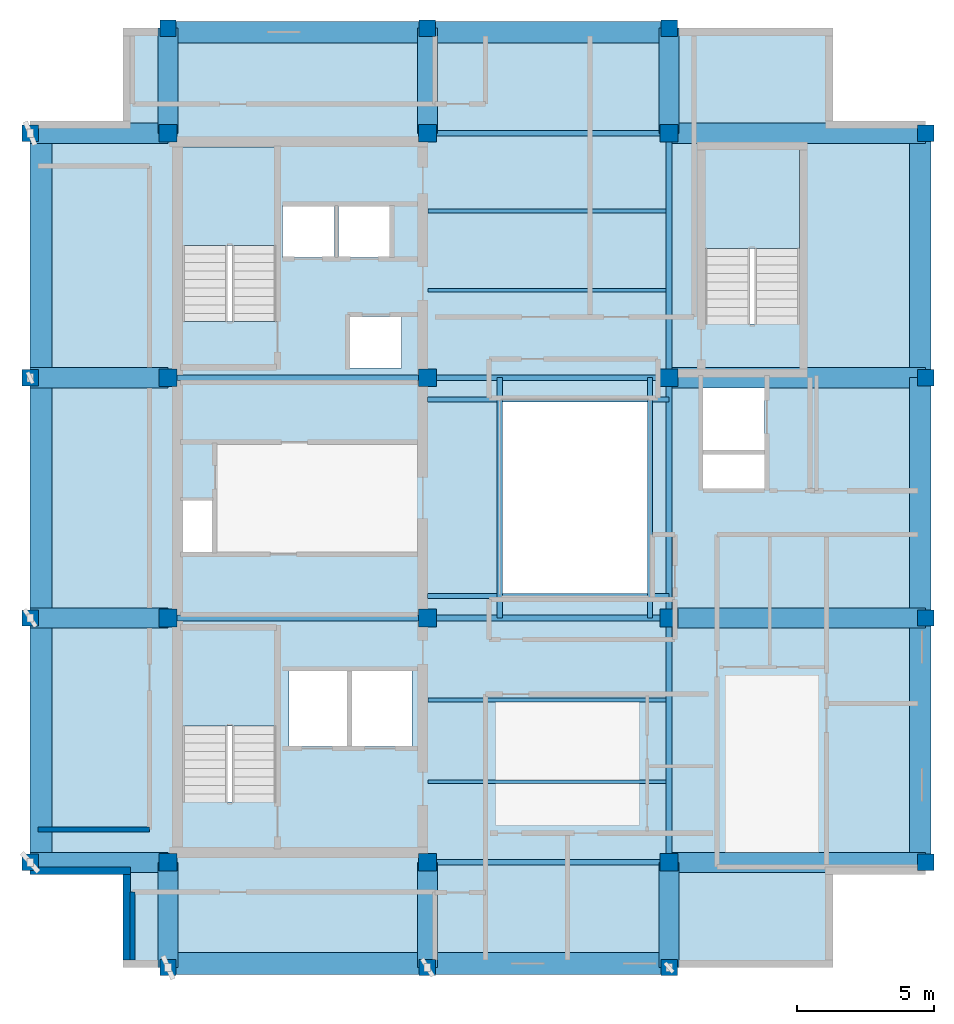
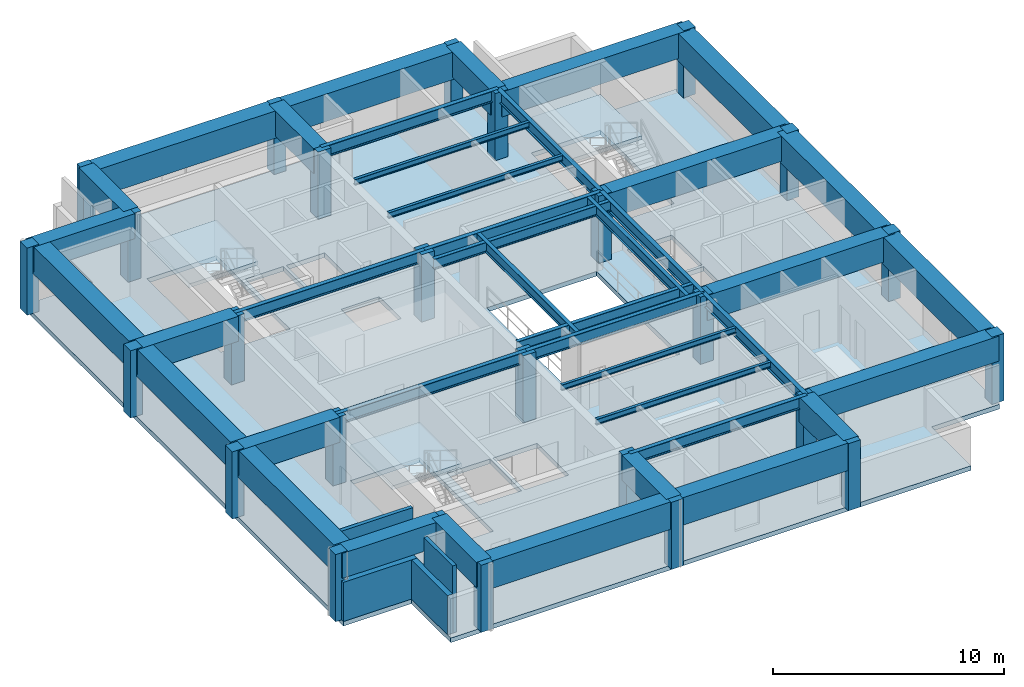
# One storey, part 1 of 6: 41 beams, 26 columns, 4 slabs, 4 walls, 3 elements without a shape of their own.
"""IFC4 building model written with IfcOpenShell, lengths in metres."""

from ifc_helpers import new_model, si_unit, direction, frame, frame_2d, origin, origin_2d, place, context, subcontext, project, spatial, polyline, rectangle, i_section, outline, extrude, material, layer, layer_set, material_profile, profile_set, type_object, element, aggregate, save


model = new_model("IFC4")

# Units and contexts
model_context = context("Model", 3, precision=1e-05, world=origin(), true_north=direction((0.0, 1.0)))
body_context = subcontext(model_context, "Body", "Model", "MODEL_VIEW")
ifc_project = project(units=[si_unit("LENGTHUNIT", "METRE"), si_unit("AREAUNIT", "SQUARE_METRE"), si_unit("VOLUMEUNIT", "CUBIC_METRE"), si_unit("PLANEANGLEUNIT", "RADIAN"), si_unit("MASSUNIT", "GRAM", prefix="KILO")], contexts=[model_context])

# Site, building, storey
site_placement = place(None, origin())
site = spatial("IfcSite", under=ifc_project, at=site_placement, CompositionType="ELEMENT")
building_placement = place(site_placement, origin())
building = spatial("IfcBuilding", under=site, at=building_placement, Name="Kundavana Baori Tower", CompositionType="ELEMENT")
storey_placement = place(building_placement, frame((0.0, 0.0, 339.10009765625)))
storey = spatial("IfcBuildingStorey", under=building, at=storey_placement, Name="L84", CompositionType="ELEMENT", Elevation=339.10009765625)

# Columns
ifc_material_1 = material(Name="Concrete C50/60", Category="concrete")
ifc_material_profile_1 = material_profile(ifc_material_1, rectangle(XDim=0.60009765625, YDim=0.60009765625, at=origin_2d()), Name="RC PF 600x600")
ifc_profile_set_1 = profile_set([ifc_material_profile_1], Name="Concrete C50/60")
column_type_1 = type_object("IfcColumnType", Name="COL-PF-600", PredefinedType="COLUMN", material=ifc_profile_set_1)
for number, where, z_axis, x_axis, name in (
    (1, (15.449951171875, 11.39990234375, 0.0), (0.0, 0.0, 1.0), (1.0, 0.0, 0.0), "L84 Stone-Clad Perimeter Frame Column PF-S1"),
    (2, (15.449951171875, 45.800048828125, 0.0), (0.0, 0.0, 1.0), (1.0, 0.0, 0.0), "L84 Stone-Clad Perimeter Frame Column PF-N1"),
    (3, (24.949951171875, 11.39990234375, 0.0), (0.0, 0.0, 1.0), (1.0, 0.0, 0.0), "L84 Stone-Clad Perimeter Frame Column PF-S2"),
    (4, (24.949951171875, 45.800048828125, 0.0), (0.0, 0.0, 1.0), (1.0, 0.0, 0.0), "L84 Stone-Clad Perimeter Frame Column PF-N2"),
    (5, (33.800048828125, 11.39990234375, 0.0), (0.0, 0.0, 1.0), (1.0, 0.0, 0.0), "L84 Stone-Clad Perimeter Frame Column PF-S3"),
    (6, (33.800048828125, 45.800048828125, 0.0), (0.0, 0.0, 1.0), (1.0, 0.0, 0.0), "L84 Stone-Clad Perimeter Frame Column PF-N3"),
    (7, (10.39990234375, 15.25, 0.0), (0.0, 0.0, 1.0), (1.0, 0.0, 0.0), "L84 Stone-Clad Perimeter Frame Column PF-W1"),
    (8, (43.199951171875, 15.25, 0.0), (0.0, 0.0, 1.0), (1.0, 0.0, 0.0), "L84 Stone-Clad Perimeter Frame Column PF-E1"),
    (9, (10.39990234375, 24.199951171875, 0.0), (0.0, 0.0, 1.0), (1.0, 0.0, 0.0), "L84 Stone-Clad Perimeter Frame Column PF-W2"),
    (10, (43.199951171875, 24.199951171875, 0.0), (0.0, 0.0, 1.0), (1.0, 0.0, 0.0), "L84 Stone-Clad Perimeter Frame Column PF-E2"),
    (11, (10.39990234375, 33.0, 0.0), (0.0, 0.0, 1.0), (1.0, 0.0, 0.0), "L84 Stone-Clad Perimeter Frame Column PF-W3"),
    (12, (43.199951171875, 33.0, 0.0), (0.0, 0.0, 1.0), (1.0, 0.0, 0.0), "L84 Stone-Clad Perimeter Frame Column PF-E3"),
    (13, (10.39990234375, 41.949951171875, 0.0), (0.0, 0.0, 1.0), (1.0, 0.0, 0.0), "L84 Stone-Clad Perimeter Frame Column PF-W4"),
    (14, (43.199951171875, 41.949951171875, 0.0), (0.0, 0.0, 1.0), (1.0, 0.0, 0.0), "L84 Stone-Clad Perimeter Frame Column PF-E4"),
):
    element("IfcColumn", number, at=place(storey_placement, frame(where, z_axis=z_axis, x_axis=x_axis)), inside=storey, type_object=column_type_1, Name=name, PredefinedType="COLUMN", context=body_context, shape_type="SweptSolid", body=[
        extrude(rectangle(XDim=0.60009765625, YDim=0.60009765625, at=origin_2d()), origin(), (0.0, 0.0, 1.0), 3.5498046875),
    ])
ifc_material_2 = material(Name="Concrete C50/60", Category="concrete")
ifc_material_profile_2 = material_profile(ifc_material_2, rectangle(XDim=0.64990234375, YDim=0.64990234375, at=origin_2d()), Name="RC 650x650")
ifc_profile_set_2 = profile_set([ifc_material_profile_2], Name="Concrete C50/60")
column_type_2 = type_object("IfcColumnType", Name="COL-RC-650", PredefinedType="COLUMN", material=ifc_profile_set_2)
for number, where, z_axis, x_axis, name in (
    (15, (15.449951171875, 15.25, 0.0), (0.0, 0.0, 1.0), (1.0, 0.0, 0.0), "L84 Interior Column IC-3C"),
    (16, (15.449951171875, 24.199951171875, 0.0), (0.0, 0.0, 1.0), (1.0, 0.0, 0.0), "L84 Interior Column IC-3D"),
    (17, (15.449951171875, 33.0, 0.0), (0.0, 0.0, 1.0), (1.0, 0.0, 0.0), "L84 Interior Column IC-3E"),
    (18, (15.449951171875, 41.949951171875, 0.0), (0.0, 0.0, 1.0), (1.0, 0.0, 0.0), "L84 Interior Column IC-3F"),
    (19, (24.949951171875, 15.25, 0.0), (0.0, 0.0, 1.0), (1.0, 0.0, 0.0), "L84 Interior Column IC-4C"),
    (20, (24.949951171875, 24.199951171875, 0.0), (0.0, 0.0, 1.0), (1.0, 0.0, 0.0), "L84 Interior Column IC-4D"),
    (21, (24.949951171875, 33.0, 0.0), (0.0, 0.0, 1.0), (1.0, 0.0, 0.0), "L84 Interior Column IC-4E"),
    (22, (24.949951171875, 41.949951171875, 0.0), (0.0, 0.0, 1.0), (1.0, 0.0, 0.0), "L84 Interior Column IC-4F"),
    (23, (33.800048828125, 15.25, 0.0), (0.0, 0.0, 1.0), (1.0, 0.0, 0.0), "L84 Interior Column IC-5C"),
    (24, (33.800048828125, 24.199951171875, 0.0), (0.0, 0.0, 1.0), (1.0, 0.0, 0.0), "L84 Interior Column IC-5D"),
    (25, (33.800048828125, 33.0, 0.0), (0.0, 0.0, 1.0), (1.0, 0.0, 0.0), "L84 Interior Column IC-5E"),
    (26, (33.800048828125, 41.949951171875, 0.0), (0.0, 0.0, 1.0), (1.0, 0.0, 0.0), "L84 Interior Column IC-5F"),
):
    element("IfcColumn", number, at=place(storey_placement, frame(where, z_axis=z_axis, x_axis=x_axis)), inside=storey, type_object=column_type_2, Name=name, PredefinedType="COLUMN", context=body_context, shape_type="SweptSolid", body=[
        extrude(rectangle(XDim=0.64990234375, YDim=0.64990234375, at=origin_2d()), origin(), (0.0, 0.0, 1.0), 3.5498046875),
    ])

# Beams
ifc_material_3 = material(Name="Structural Steel S355JR", Category="steel")
ifc_material_profile_3 = material_profile(ifc_material_3, i_section(OverallWidth=0.139892578125, OverallDepth=0.300048828125, WebThickness=0.0078125, FlangeThickness=0.01318359375, FilletRadius=0.013916015625, at=origin_2d()), Name="ISMB 300")
ifc_profile_set_3 = profile_set([ifc_material_profile_3], Name="Structural Steel S355JR")
beam_type_1 = type_object("IfcBeamType", Name="BM-RF-300", PredefinedType="BEAM", material=ifc_profile_set_3)
for number, where, z_axis, x_axis, name in (
    (27, (24.97998046875, 18.199951171875, 3.39990234375), (1.0, 0.0, 0.0), (0.0, 1.0, 0.0), "L84 Central Bay Composite Floor Joist C1"),
    (28, (24.97998046875, 21.199951171875, 3.39990234375), (1.0, 0.0, 0.0), (0.0, 1.0, 0.0), "L84 Central Bay Composite Floor Joist C2"),
    (29, (24.97998046875, 36.199951171875, 3.39990234375), (1.0, 0.0, 0.0), (0.0, 1.0, 0.0), "L84 Central Bay Composite Floor Joist C3"),
    (30, (24.97998046875, 39.10009765625, 3.39990234375), (1.0, 0.0, 0.0), (0.0, 1.0, 0.0), "L84 Central Bay Composite Floor Joist C4"),
):
    element("IfcBeam", number, at=place(storey_placement, frame(where, z_axis=z_axis, x_axis=x_axis)), inside=storey, type_object=beam_type_1, Name=name, PredefinedType="BEAM", context=body_context, shape_type="SweptSolid", body=[
        extrude(i_section(OverallWidth=0.139892578125, OverallDepth=0.300048828125, WebThickness=0.0078125, FlangeThickness=0.01318359375, FilletRadius=0.013916015625, at=origin_2d()), origin(), (0.0, 0.0, 1.0), 8.715087890625),
    ])
ifc_material_4 = material(Name="Structural Steel S355JR", Category="steel")
ifc_material_profile_4 = material_profile(ifc_material_4, i_section(OverallWidth=0.18994140625, OverallDepth=0.550048828125, WebThickness=0.01123046875, FlangeThickness=0.019287109375, FilletRadius=0.01806640625, at=origin_2d()), Name="ISMB 550")
ifc_profile_set_4 = profile_set([ifc_material_profile_4], Name="Structural Steel S355JR")
beam_type_2 = type_object("IfcBeamType", Name="BM-ST-550", PredefinedType="BEAM", material=ifc_profile_set_4)
for number, where, z_axis, x_axis, name in (
    (31, (27.60009765625, 24.199951171875, 3.27490234375), (0.0, 1.0, 0.0), (-1.0, 0.0, 0.0), "L84 Atrium West Edge Beam"),
    (32, (33.10009765625, 24.199951171875, 3.27490234375), (0.0, 1.0, 0.0), (-1.0, 0.0, 0.0), "L84 Atrium East Edge Beam"),
):
    element("IfcBeam", number, at=place(storey_placement, frame(where, z_axis=z_axis, x_axis=x_axis)), inside=storey, type_object=beam_type_2, Name=name, PredefinedType="BEAM", context=body_context, shape_type="SweptSolid", body=[
        extrude(i_section(OverallWidth=0.18994140625, OverallDepth=0.550048828125, WebThickness=0.01123046875, FlangeThickness=0.019287109375, FilletRadius=0.01806640625, at=origin_2d()), origin(), (0.0, 0.0, 1.0), 8.800048828125),
    ])
for number, where, z_axis, x_axis, name in (
    (33, (24.949951171875, 25.0, 3.27490234375), (1.0, 0.0, 0.0), (0.0, 1.0, 0.0), "L84 Atrium South Edge Beam"),
    (34, (24.949951171875, 32.199951171875, 3.27490234375), (1.0, 0.0, 0.0), (0.0, 1.0, 0.0), "L84 Atrium North Edge Beam"),
):
    element("IfcBeam", number, at=place(storey_placement, frame(where, z_axis=z_axis, x_axis=x_axis)), inside=storey, type_object=beam_type_2, Name=name, PredefinedType="BEAM", context=body_context, shape_type="SweptSolid", body=[
        extrude(i_section(OverallWidth=0.18994140625, OverallDepth=0.550048828125, WebThickness=0.01123046875, FlangeThickness=0.019287109375, FilletRadius=0.01806640625, at=origin_2d()), origin(), (0.0, 0.0, 1.0), 8.85009765625),
    ])
ifc_material_5 = material(Name="Structural Steel S355JR", Category="steel")
ifc_material_profile_5 = material_profile(ifc_material_5, i_section(OverallWidth=0.2099609375, OverallDepth=0.60009765625, WebThickness=0.011962890625, FlangeThickness=0.020751953125, FilletRadius=0.02001953125, at=origin_2d()), Name="ISMB 600")
ifc_profile_set_5 = profile_set([ifc_material_profile_5], Name="Structural Steel S355JR")
beam_type_3 = type_object("IfcBeamType", Name="BM-ST-600", PredefinedType="BEAM", material=ifc_profile_set_5)
beam_1_placement = place(storey_placement, frame((24.949951171875, 15.25, 3.25), z_axis=(1.0, 0.0, 0.0), x_axis=(0.0, 1.0, 0.0)))
element("IfcBeam", 35, at=beam_1_placement, inside=storey, type_object=beam_type_3, Name="L84 Primary Grid Girder GX-1-2", PredefinedType="BEAM", context=body_context, shape_type="SweptSolid", body=[
    extrude(i_section(OverallWidth=0.2099609375, OverallDepth=0.60009765625, WebThickness=0.011962890625, FlangeThickness=0.020751953125, FilletRadius=0.02001953125, at=origin_2d()), origin(), (0.0, 0.0, 1.0), 8.85009765625),
])
beam_2_placement = place(storey_placement, frame((15.449951171875, 24.199951171875, 3.25), z_axis=(1.0, 0.0, 0.0), x_axis=(0.0, 1.0, 0.0)))
element("IfcBeam", 36, at=beam_2_placement, inside=storey, type_object=beam_type_3, Name="L84 Primary Grid Girder GX-2-1", PredefinedType="BEAM", context=body_context, shape_type="SweptSolid", body=[
    extrude(i_section(OverallWidth=0.2099609375, OverallDepth=0.60009765625, WebThickness=0.011962890625, FlangeThickness=0.020751953125, FilletRadius=0.02001953125, at=origin_2d()), origin(), (0.0, 0.0, 1.0), 9.5),
])
beam_3_placement = place(storey_placement, frame((24.949951171875, 24.199951171875, 3.25), z_axis=(1.0, 0.0, 0.0), x_axis=(0.0, 1.0, 0.0)))
element("IfcBeam", 37, at=beam_3_placement, inside=storey, type_object=beam_type_3, Name="L84 Primary Grid Girder GX-2-2", PredefinedType="BEAM", context=body_context, shape_type="SweptSolid", body=[
    extrude(i_section(OverallWidth=0.2099609375, OverallDepth=0.60009765625, WebThickness=0.011962890625, FlangeThickness=0.020751953125, FilletRadius=0.02001953125, at=origin_2d()), origin(), (0.0, 0.0, 1.0), 8.85009765625),
])
beam_4_placement = place(storey_placement, frame((15.449951171875, 33.0, 3.25), z_axis=(1.0, 0.0, 0.0), x_axis=(0.0, 1.0, 0.0)))
element("IfcBeam", 38, at=beam_4_placement, inside=storey, type_object=beam_type_3, Name="L84 Primary Grid Girder GX-3-1", PredefinedType="BEAM", context=body_context, shape_type="SweptSolid", body=[
    extrude(i_section(OverallWidth=0.2099609375, OverallDepth=0.60009765625, WebThickness=0.011962890625, FlangeThickness=0.020751953125, FilletRadius=0.02001953125, at=origin_2d()), origin(), (0.0, 0.0, 1.0), 9.5),
])
for number, where, z_axis, x_axis, name in (
    (39, (24.949951171875, 33.0, 3.25), (1.0, 0.0, 0.0), (0.0, 1.0, 0.0), "L84 Primary Grid Girder GX-3-2"),
    (40, (24.949951171875, 41.949951171875, 3.25), (1.0, 0.0, 0.0), (0.0, 1.0, 0.0), "L84 Primary Grid Girder GX-4-2"),
):
    element("IfcBeam", number, at=place(storey_placement, frame(where, z_axis=z_axis, x_axis=x_axis)), inside=storey, type_object=beam_type_3, Name=name, PredefinedType="BEAM", context=body_context, shape_type="SweptSolid", body=[
        extrude(i_section(OverallWidth=0.2099609375, OverallDepth=0.60009765625, WebThickness=0.011962890625, FlangeThickness=0.020751953125, FilletRadius=0.02001953125, at=origin_2d()), origin(), (0.0, 0.0, 1.0), 8.85009765625),
    ])
beam_5_placement = place(storey_placement, frame((33.800048828125, 15.25, 3.25), z_axis=(0.0, 1.0, 0.0), x_axis=(-1.0, 0.0, 0.0)))
element("IfcBeam", 41, at=beam_5_placement, inside=storey, type_object=beam_type_3, Name="L84 Primary Grid Girder GY-3-1", PredefinedType="BEAM", context=body_context, shape_type="SweptSolid", body=[
    extrude(i_section(OverallWidth=0.2099609375, OverallDepth=0.60009765625, WebThickness=0.011962890625, FlangeThickness=0.020751953125, FilletRadius=0.02001953125, at=origin_2d()), origin(), (0.0, 0.0, 1.0), 8.949951171875),
])
beam_6_placement = place(storey_placement, frame((33.800048828125, 24.199951171875, 3.25), z_axis=(0.0, 1.0, 0.0), x_axis=(-1.0, 0.0, 0.0)))
element("IfcBeam", 42, at=beam_6_placement, inside=storey, type_object=beam_type_3, Name="L84 Primary Grid Girder GY-3-2", PredefinedType="BEAM", context=body_context, shape_type="SweptSolid", body=[
    extrude(i_section(OverallWidth=0.2099609375, OverallDepth=0.60009765625, WebThickness=0.011962890625, FlangeThickness=0.020751953125, FilletRadius=0.02001953125, at=origin_2d()), origin(), (0.0, 0.0, 1.0), 8.800048828125),
])
beam_7_placement = place(storey_placement, frame((33.800048828125, 33.0, 3.25), z_axis=(0.0, 1.0, 0.0), x_axis=(-1.0, 0.0, 0.0)))
element("IfcBeam", 43, at=beam_7_placement, inside=storey, type_object=beam_type_3, Name="L84 Primary Grid Girder GY-3-3", PredefinedType="BEAM", context=body_context, shape_type="SweptSolid", body=[
    extrude(i_section(OverallWidth=0.2099609375, OverallDepth=0.60009765625, WebThickness=0.011962890625, FlangeThickness=0.020751953125, FilletRadius=0.02001953125, at=origin_2d()), origin(), (0.0, 0.0, 1.0), 8.949951171875),
])
ifc_material_6 = material(Name="Concrete C50/60", Category="concrete")
ifc_material_profile_6 = material_profile(ifc_material_6, rectangle(XDim=0.800048828125, YDim=1.449951171875, at=origin_2d()), Name="BM-TG-1")
ifc_profile_set_6 = profile_set([ifc_material_profile_6], Name="Concrete C50/60")
beam_type_4 = type_object("IfcBeamType", Name="BM-TG-1", PredefinedType="USERDEFINED", material=ifc_profile_set_6)
beam_8_placement = place(storey_placement, frame((15.449951171875, 11.550048828125, 2.824951171875), z_axis=(1.0, 0.0, 0.0), x_axis=(0.0, 1.0, 0.0)))
element("IfcBeam", 44, at=beam_8_placement, inside=storey, type_object=beam_type_4, Name="L84 Perimeter Frame Ring Beam S1", ObjectType="TRANSFER GIRDER", PredefinedType="USERDEFINED", context=body_context, shape_type="SweptSolid", body=[
    extrude(rectangle(XDim=0.800048828125, YDim=1.449951171875, at=origin_2d()), origin(), (0.0, 0.0, 1.0), 9.5),
])
beam_9_placement = place(storey_placement, frame((24.949951171875, 11.550048828125, 2.824951171875), z_axis=(1.0, 0.0, 0.0), x_axis=(0.0, 1.0, 0.0)))
element("IfcBeam", 45, at=beam_9_placement, inside=storey, type_object=beam_type_4, Name="L84 Perimeter Frame Ring Beam S2", ObjectType="TRANSFER GIRDER", PredefinedType="USERDEFINED", context=body_context, shape_type="SweptSolid", body=[
    extrude(rectangle(XDim=0.800048828125, YDim=1.449951171875, at=origin_2d()), origin(), (0.0, 0.0, 1.0), 8.85009765625),
])
beam_10_placement = place(storey_placement, frame((15.449951171875, 45.64990234375, 2.824951171875), z_axis=(1.0, 0.0, 0.0), x_axis=(0.0, 1.0, 0.0)))
element("IfcBeam", 46, at=beam_10_placement, inside=storey, type_object=beam_type_4, Name="L84 Perimeter Frame Ring Beam N1", ObjectType="TRANSFER GIRDER", PredefinedType="USERDEFINED", context=body_context, shape_type="SweptSolid", body=[
    extrude(rectangle(XDim=0.800048828125, YDim=1.449951171875, at=origin_2d()), origin(), (0.0, 0.0, 1.0), 9.5),
])
beam_11_placement = place(storey_placement, frame((24.949951171875, 45.64990234375, 2.824951171875), z_axis=(1.0, 0.0, 0.0), x_axis=(0.0, 1.0, 0.0)))
element("IfcBeam", 47, at=beam_11_placement, inside=storey, type_object=beam_type_4, Name="L84 Perimeter Frame Ring Beam N2", ObjectType="TRANSFER GIRDER", PredefinedType="USERDEFINED", context=body_context, shape_type="SweptSolid", body=[
    extrude(rectangle(XDim=0.800048828125, YDim=1.449951171875, at=origin_2d()), origin(), (0.0, 0.0, 1.0), 8.85009765625),
])
beam_12_placement = place(storey_placement, frame((10.800048828125, 15.25, 2.824951171875), z_axis=(0.0, 1.0, 0.0), x_axis=(-1.0, 0.0, 0.0)))
element("IfcBeam", 48, at=beam_12_placement, inside=storey, type_object=beam_type_4, Name="L84 Perimeter Frame Ring Beam W1", ObjectType="TRANSFER GIRDER", PredefinedType="USERDEFINED", context=body_context, shape_type="SweptSolid", body=[
    extrude(rectangle(XDim=0.800048828125, YDim=1.449951171875, at=origin_2d()), origin(), (0.0, 0.0, 1.0), 8.949951171875),
])
beam_13_placement = place(storey_placement, frame((10.800048828125, 24.199951171875, 2.824951171875), z_axis=(0.0, 1.0, 0.0), x_axis=(-1.0, 0.0, 0.0)))
element("IfcBeam", 49, at=beam_13_placement, inside=storey, type_object=beam_type_4, Name="L84 Perimeter Frame Ring Beam W2", ObjectType="TRANSFER GIRDER", PredefinedType="USERDEFINED", context=body_context, shape_type="SweptSolid", body=[
    extrude(rectangle(XDim=0.800048828125, YDim=1.449951171875, at=origin_2d()), origin(), (0.0, 0.0, 1.0), 8.800048828125),
])
for number, where, z_axis, x_axis, name in (
    (50, (10.800048828125, 33.0, 2.824951171875), (0.0, 1.0, 0.0), (-1.0, 0.0, 0.0), "L84 Perimeter Frame Ring Beam W3"),
    (51, (43.0, 15.25, 2.824951171875), (0.0, 1.0, 0.0), (-1.0, 0.0, 0.0), "L84 Perimeter Frame Ring Beam E1"),
):
    element("IfcBeam", number, at=place(storey_placement, frame(where, z_axis=z_axis, x_axis=x_axis)), inside=storey, type_object=beam_type_4, Name=name, ObjectType="TRANSFER GIRDER", PredefinedType="USERDEFINED", context=body_context, shape_type="SweptSolid", body=[
        extrude(rectangle(XDim=0.800048828125, YDim=1.449951171875, at=origin_2d()), origin(), (0.0, 0.0, 1.0), 8.949951171875),
    ])
beam_14_placement = place(storey_placement, frame((43.0, 24.199951171875, 2.824951171875), z_axis=(0.0, 1.0, 0.0), x_axis=(-1.0, 0.0, 0.0)))
element("IfcBeam", 52, at=beam_14_placement, inside=storey, type_object=beam_type_4, Name="L84 Perimeter Frame Ring Beam E2", ObjectType="TRANSFER GIRDER", PredefinedType="USERDEFINED", context=body_context, shape_type="SweptSolid", body=[
    extrude(rectangle(XDim=0.800048828125, YDim=1.449951171875, at=origin_2d()), origin(), (0.0, 0.0, 1.0), 8.800048828125),
])
beam_15_placement = place(storey_placement, frame((43.0, 33.0, 2.824951171875), z_axis=(0.0, 1.0, 0.0), x_axis=(-1.0, 0.0, 0.0)))
element("IfcBeam", 53, at=beam_15_placement, inside=storey, type_object=beam_type_4, Name="L84 Perimeter Frame Ring Beam E3", ObjectType="TRANSFER GIRDER", PredefinedType="USERDEFINED", context=body_context, shape_type="SweptSolid", body=[
    extrude(rectangle(XDim=0.800048828125, YDim=1.449951171875, at=origin_2d()), origin(), (0.0, 0.0, 1.0), 8.949951171875),
])
ifc_material_7 = material(Name="Concrete C50/60", Category="concrete")
ifc_material_profile_7 = material_profile(ifc_material_7, rectangle(XDim=0.739990234375, YDim=1.320068359375, at=origin_2d()), Name="BM-TG-5")
ifc_profile_set_7 = profile_set([ifc_material_profile_7], Name="Concrete C50/60")
beam_type_5 = type_object("IfcBeamType", Name="BM-TG-5", PredefinedType="USERDEFINED", material=ifc_profile_set_7)
for number, where, z_axis, x_axis, name in (
    (54, (15.449951171875, 15.25, 2.889892578125), (0.0, -1.0, 0.0), (1.0, 0.0, 0.0), "L84 South Radial Transfer Girder S1"),
    (55, (15.449951171875, 41.949951171875, 2.889892578125), (0.0, 1.0, 0.0), (-1.0, 0.0, 0.0), "L84 North Radial Transfer Girder N1"),
    (56, (24.949951171875, 15.25, 2.889892578125), (0.0, -1.0, 0.0), (1.0, 0.0, 0.0), "L84 South Radial Transfer Girder S2"),
    (57, (24.949951171875, 41.949951171875, 2.889892578125), (0.0, 1.0, 0.0), (-1.0, 0.0, 0.0), "L84 North Radial Transfer Girder N2"),
    (58, (33.800048828125, 15.25, 2.889892578125), (0.0, -1.0, 0.0), (1.0, 0.0, 0.0), "L84 South Radial Transfer Girder S3"),
    (59, (33.800048828125, 41.949951171875, 2.889892578125), (0.0, 1.0, 0.0), (-1.0, 0.0, 0.0), "L84 North Radial Transfer Girder N3"),
):
    element("IfcBeam", number, at=place(storey_placement, frame(where, z_axis=z_axis, x_axis=x_axis)), inside=storey, type_object=beam_type_5, Name=name, ObjectType="TRANSFER GIRDER", PredefinedType="USERDEFINED", context=body_context, shape_type="SweptSolid", body=[
        extrude(rectangle(XDim=0.739990234375, YDim=1.320068359375, at=origin_2d()), origin(), (0.0, 0.0, 1.0), 3.85009765625),
    ])
beam_16_placement = place(storey_placement, frame((15.449951171875, 15.25, 2.889892578125), z_axis=(-1.0, 0.0, 0.0), x_axis=(0.0, -1.0, 0.0)))
element("IfcBeam", 60, at=beam_16_placement, inside=storey, type_object=beam_type_5, Name="L84 West Radial Transfer Girder W1", ObjectType="TRANSFER GIRDER", PredefinedType="USERDEFINED", context=body_context, shape_type="SweptSolid", body=[
    extrude(rectangle(XDim=0.739990234375, YDim=1.320068359375, at=origin_2d()), origin(), (0.0, 0.0, 1.0), 5.050048828125),
])
beam_17_placement = place(storey_placement, frame((33.800048828125, 15.25, 2.889892578125), z_axis=(1.0, 0.0, 0.0), x_axis=(0.0, 1.0, 0.0)))
element("IfcBeam", 61, at=beam_17_placement, inside=storey, type_object=beam_type_5, Name="L84 East Radial Transfer Girder E1", ObjectType="TRANSFER GIRDER", PredefinedType="USERDEFINED", context=body_context, shape_type="SweptSolid", body=[
    extrude(rectangle(XDim=0.739990234375, YDim=1.320068359375, at=origin_2d()), origin(), (0.0, 0.0, 1.0), 9.39990234375),
])
beam_18_placement = place(storey_placement, frame((15.449951171875, 24.199951171875, 2.889892578125), z_axis=(-1.0, 0.0, 0.0), x_axis=(0.0, -1.0, 0.0)))
element("IfcBeam", 62, at=beam_18_placement, inside=storey, type_object=beam_type_5, Name="L84 West Radial Transfer Girder W2", ObjectType="TRANSFER GIRDER", PredefinedType="USERDEFINED", context=body_context, shape_type="SweptSolid", body=[
    extrude(rectangle(XDim=0.739990234375, YDim=1.320068359375, at=origin_2d()), origin(), (0.0, 0.0, 1.0), 5.050048828125),
])
beam_19_placement = place(storey_placement, frame((33.800048828125, 24.199951171875, 2.889892578125), z_axis=(1.0, 0.0, 0.0), x_axis=(0.0, 1.0, 0.0)))
element("IfcBeam", 63, at=beam_19_placement, inside=storey, type_object=beam_type_5, Name="L84 East Radial Transfer Girder E2", ObjectType="TRANSFER GIRDER", PredefinedType="USERDEFINED", context=body_context, shape_type="SweptSolid", body=[
    extrude(rectangle(XDim=0.739990234375, YDim=1.320068359375, at=origin_2d()), origin(), (0.0, 0.0, 1.0), 9.39990234375),
])
beam_20_placement = place(storey_placement, frame((15.449951171875, 33.0, 2.889892578125), z_axis=(-1.0, 0.0, 0.0), x_axis=(0.0, -1.0, 0.0)))
element("IfcBeam", 64, at=beam_20_placement, inside=storey, type_object=beam_type_5, Name="L84 West Radial Transfer Girder W3", ObjectType="TRANSFER GIRDER", PredefinedType="USERDEFINED", context=body_context, shape_type="SweptSolid", body=[
    extrude(rectangle(XDim=0.739990234375, YDim=1.320068359375, at=origin_2d()), origin(), (0.0, 0.0, 1.0), 5.050048828125),
])
beam_21_placement = place(storey_placement, frame((33.800048828125, 33.0, 2.889892578125), z_axis=(1.0, 0.0, 0.0), x_axis=(0.0, 1.0, 0.0)))
element("IfcBeam", 65, at=beam_21_placement, inside=storey, type_object=beam_type_5, Name="L84 East Radial Transfer Girder E3", ObjectType="TRANSFER GIRDER", PredefinedType="USERDEFINED", context=body_context, shape_type="SweptSolid", body=[
    extrude(rectangle(XDim=0.739990234375, YDim=1.320068359375, at=origin_2d()), origin(), (0.0, 0.0, 1.0), 9.39990234375),
])
beam_22_placement = place(storey_placement, frame((15.449951171875, 41.949951171875, 2.889892578125), z_axis=(-1.0, 0.0, 0.0), x_axis=(0.0, -1.0, 0.0)))
element("IfcBeam", 66, at=beam_22_placement, inside=storey, type_object=beam_type_5, Name="L84 West Radial Transfer Girder W4", ObjectType="TRANSFER GIRDER", PredefinedType="USERDEFINED", context=body_context, shape_type="SweptSolid", body=[
    extrude(rectangle(XDim=0.739990234375, YDim=1.320068359375, at=origin_2d()), origin(), (0.0, 0.0, 1.0), 5.050048828125),
])
beam_23_placement = place(storey_placement, frame((33.800048828125, 41.949951171875, 2.889892578125), z_axis=(1.0, 0.0, 0.0), x_axis=(0.0, 1.0, 0.0)))
element("IfcBeam", 67, at=beam_23_placement, inside=storey, type_object=beam_type_5, Name="L84 East Radial Transfer Girder E4", ObjectType="TRANSFER GIRDER", PredefinedType="USERDEFINED", context=body_context, shape_type="SweptSolid", body=[
    extrude(rectangle(XDim=0.739990234375, YDim=1.320068359375, at=origin_2d()), origin(), (0.0, 0.0, 1.0), 9.39990234375),
])

# Slab
ifc_material_8 = material(Name="Concrete C40/50", Category="concrete")
ifc_layer_1 = layer(ifc_material_8, 0.239990234375, Name="SLB-FLR-240")
ifc_layer_set_1 = layer_set([ifc_layer_1], Name="Concrete C40/50")
slab_type_1 = type_object("IfcSlabType", Name="SLB-FLR-240", PredefinedType="FLOOR", material=ifc_layer_set_1)
slab_1_placement = place(storey_placement, frame((0.0, 0.0, -0.239990234375)))
element("IfcSlab", 68, at=slab_1_placement, inside=storey, type_object=slab_type_1, Name="L84 Structural Floor Slab", PredefinedType="FLOOR", context=body_context, shape_type="SweptSolid", body=[
    extrude(outline(polyline([(13.800048828125, 11.39990234375), (39.800048828125, 11.39990234375), (39.800048828125, 14.800048828125), (43.199951171875, 14.800048828125), (43.199951171875, 42.39990234375), (39.800048828125, 42.39990234375), (39.800048828125, 45.800048828125), (13.800048828125, 45.800048828125), (13.800048828125, 42.39990234375), (10.39990234375, 42.39990234375), (10.39990234375, 14.800048828125), (13.800048828125, 14.800048828125), (13.800048828125, 11.39990234375)]), holes=[polyline([(19.43994140625, 17.4619140625), (19.43994140625, 23.85009765625), (15.97998046875, 23.85009765625), (15.97998046875, 17.4619140625), (19.43994140625, 17.4619140625)]), polyline([(19.43994140625, 35.06201171875), (19.43994140625, 41.449951171875), (15.97998046875, 41.449951171875), (15.97998046875, 35.06201171875), (19.43994140625, 35.06201171875)]), polyline([(38.580078125, 34.9619140625), (38.580078125, 41.35009765625), (35.1201171875, 41.35009765625), (35.1201171875, 34.9619140625), (38.580078125, 34.9619140625)]), polyline([(19.64990234375, 37.39990234375), (21.550048828125, 37.39990234375), (21.550048828125, 39.300048828125), (19.64990234375, 39.300048828125), (19.64990234375, 37.39990234375)]), polyline([(21.699951171875, 37.39990234375), (23.60009765625, 37.39990234375), (23.60009765625, 39.300048828125), (21.699951171875, 39.300048828125), (21.699951171875, 37.39990234375)]), polyline([(22.10009765625, 33.35009765625), (24.0, 33.35009765625), (24.0, 35.25), (22.10009765625, 35.25), (22.10009765625, 33.35009765625)]), polyline([(19.8798828125, 19.5), (22.02001953125, 19.5), (22.02001953125, 22.25), (19.8798828125, 22.25), (19.8798828125, 19.5)]), polyline([(22.179931640625, 19.5), (24.3798828125, 19.5), (24.3798828125, 22.25), (22.179931640625, 22.25), (22.179931640625, 19.5)]), polyline([(35.050048828125, 30.35009765625), (37.300048828125, 30.35009765625), (37.300048828125, 32.949951171875), (35.050048828125, 32.949951171875), (35.050048828125, 30.35009765625)]), polyline([(15.949951171875, 26.60009765625), (17.080078125, 26.60009765625), (17.080078125, 28.5), (15.949951171875, 28.5), (15.949951171875, 26.60009765625)]), polyline([(35.050048828125, 28.949951171875), (37.300048828125, 28.949951171875), (37.300048828125, 30.199951171875), (35.050048828125, 30.199951171875), (35.050048828125, 28.949951171875)]), polyline([(27.60009765625, 25.0), (33.10009765625, 25.0), (33.10009765625, 32.199951171875), (27.60009765625, 32.199951171875), (27.60009765625, 25.0)])]), origin(), (0.0, 0.0, 1.0), 0.239990234375),
])

# Stair, slab
ifc_material_9 = material(Name="Concrete C40/50", Category="concrete")
stair_type = type_object("IfcStairType", Name="STR-DOG-1650", PredefinedType="HALF_TURN_STAIR", material=ifc_material_9)
stair_1_placement = place(storey_placement, origin())
stair_1 = element("IfcStair", 69, at=stair_1_placement, inside=storey, type_object=stair_type, Name="L84 Protected Exit Stair ST1", PredefinedType="HALF_TURN_STAIR")
ifc_material_10 = material(Name="Concrete C40/50", Category="concrete")
ifc_layer_2 = layer(ifc_material_10, 0.199951171875, Name="SLB-LND-200")
ifc_layer_set_2 = layer_set([ifc_layer_2], Name="Concrete C40/50")
slab_type_2 = type_object("IfcSlabType", Name="SLB-LND-200", PredefinedType="LANDING", material=ifc_layer_set_2)
slab_2_placement = place(storey_placement, frame((0.0, 0.0, 1.699951171875)))
slab_2 = element("IfcSlab", 70, at=slab_2_placement, type_object=slab_type_2, Name="ST1 landing 1", PredefinedType="LANDING", context=body_context, shape_type="SweptSolid", body=[
    extrude(outline(polyline([(19.43994140625, 20.239990234375), (19.43994140625, 23.85009765625), (15.97998046875, 23.85009765625), (15.97998046875, 20.239990234375), (19.43994140625, 20.239990234375)])), origin(), (0.0, 0.0, 1.0), 0.199951171875),
])
aggregate(stair_1, [slab_2])

stair_2_placement = place(storey_placement, origin())
stair_2 = element("IfcStair", 71, at=stair_2_placement, inside=storey, type_object=stair_type, Name="L84 Protected Exit Stair ST2", PredefinedType="HALF_TURN_STAIR")
slab_3_placement = place(storey_placement, frame((0.0, 0.0, 1.699951171875)))
slab_3 = element("IfcSlab", 72, at=slab_3_placement, type_object=slab_type_2, Name="ST2 landing 1", PredefinedType="LANDING", context=body_context, shape_type="SweptSolid", body=[
    extrude(outline(polyline([(19.43994140625, 37.840087890625), (19.43994140625, 41.449951171875), (15.97998046875, 41.449951171875), (15.97998046875, 37.840087890625), (19.43994140625, 37.840087890625)])), origin(), (0.0, 0.0, 1.0), 0.199951171875),
])
aggregate(stair_2, [slab_3])

stair_3_placement = place(storey_placement, origin())
stair_3 = element("IfcStair", 73, at=stair_3_placement, inside=storey, type_object=stair_type, Name="L84 Protected Exit Stair ST3", PredefinedType="HALF_TURN_STAIR")
slab_4_placement = place(storey_placement, frame((0.0, 0.0, 1.699951171875)))
slab_4 = element("IfcSlab", 74, at=slab_4_placement, type_object=slab_type_2, Name="ST3 landing 1", PredefinedType="LANDING", context=body_context, shape_type="SweptSolid", body=[
    extrude(outline(polyline([(38.580078125, 37.739990234375), (38.580078125, 41.35009765625), (35.1201171875, 41.35009765625), (35.1201171875, 37.739990234375), (38.580078125, 37.739990234375)])), origin(), (0.0, 0.0, 1.0), 0.199951171875),
])
aggregate(stair_3, [slab_4])

# Walls
ifc_material_11 = material(Name="Red-Buff Dholpur Sandstone Cladding on Concrete C40/50", Category="masonry")
ifc_layer_3 = layer(ifc_material_11, 0.280029296875, Name="WL-EXT-SAND-280")
ifc_layer_set_3 = layer_set([ifc_layer_3], Name="Red-Buff Dholpur Sandstone Cladding on Concrete C40/50")
wall_type_1 = type_object("IfcWallType", Name="WL-EXT-SAND-280", PredefinedType="STANDARD", material=ifc_layer_set_3)
wall_1_placement = place(storey_placement, frame((10.39990234375, 14.93994140625, 0.0), z_axis=(0.0, 0.0, 1.0), x_axis=(1.0, 0.0, 0.0)))
element("IfcWall", 75, at=wall_1_placement, inside=storey, type_object=wall_type_1, Name="L84 Exterior Insulated Facade Wall 11", PredefinedType="STANDARD", context=body_context, shape_type="SweptSolid", body=[
    extrude(rectangle(XDim=3.68017578125, YDim=0.280029296875, at=frame_2d((1.840087890625, 0.0))), origin(), (0.0, 0.0, 1.0), 2.06982421875),
])
wall_2_placement = place(storey_placement, frame((13.93994140625, 14.800048828125, 0.0), z_axis=(0.0, 0.0, 1.0), x_axis=(0.0, -1.0, 0.0)))
element("IfcWall", 76, at=wall_2_placement, inside=storey, type_object=wall_type_1, Name="L84 Exterior Insulated Facade Wall 12", PredefinedType="STANDARD", context=body_context, shape_type="SweptSolid", body=[
    extrude(rectangle(XDim=3.1201171875, YDim=0.280029296875, at=frame_2d((1.56005859375, 0.0))), origin(), (0.0, 0.0, 1.0), 2.06982421875),
])
ifc_material_12 = material(Name="Autoclaved Aerated Concrete Blockwork Masonry", Category="masonry")
ifc_layer_4 = layer(ifc_material_12, 0.18505859375, Name="WL-PART-180")
ifc_layer_set_4 = layer_set([ifc_layer_4], Name="Autoclaved Aerated Concrete Blockwork Masonry")
wall_type_2 = type_object("IfcWallType", Name="WL-PART-180", PredefinedType="SOLIDWALL", material=ifc_layer_set_4)
wall_3_placement = place(storey_placement, frame((14.14990234375, 11.679931640625, 0.0), z_axis=(0.0, 0.0, 1.0), x_axis=(0.0, 1.0, 0.0)))
element("IfcWall", 77, at=wall_3_placement, inside=storey, type_object=wall_type_2, Name="WL-L84-RSCW", PredefinedType="SOLIDWALL", context=body_context, shape_type="SweptSolid", body=[
    extrude(rectangle(XDim=2.489990234375, YDim=0.18505859375, at=frame_2d((1.2451171875, 0.0))), origin(), (0.0, 0.0, 1.0), 3.5498046875),
])
wall_4_placement = place(storey_placement, frame((10.679931640625, 16.449951171875, 0.0), z_axis=(0.0, 0.0, 1.0), x_axis=(1.0, 0.0, 0.0)))
element("IfcWall", 78, at=wall_4_placement, inside=storey, type_object=wall_type_2, Name="WL-L84-RWS", PredefinedType="SOLIDWALL", context=body_context, shape_type="SweptSolid", body=[
    extrude(rectangle(XDim=4.090087890625, YDim=0.18505859375, at=frame_2d((2.044921875, 0.0))), origin(), (0.0, 0.0, 1.0), 3.5498046875),
])

save(model, "model.ifc")
